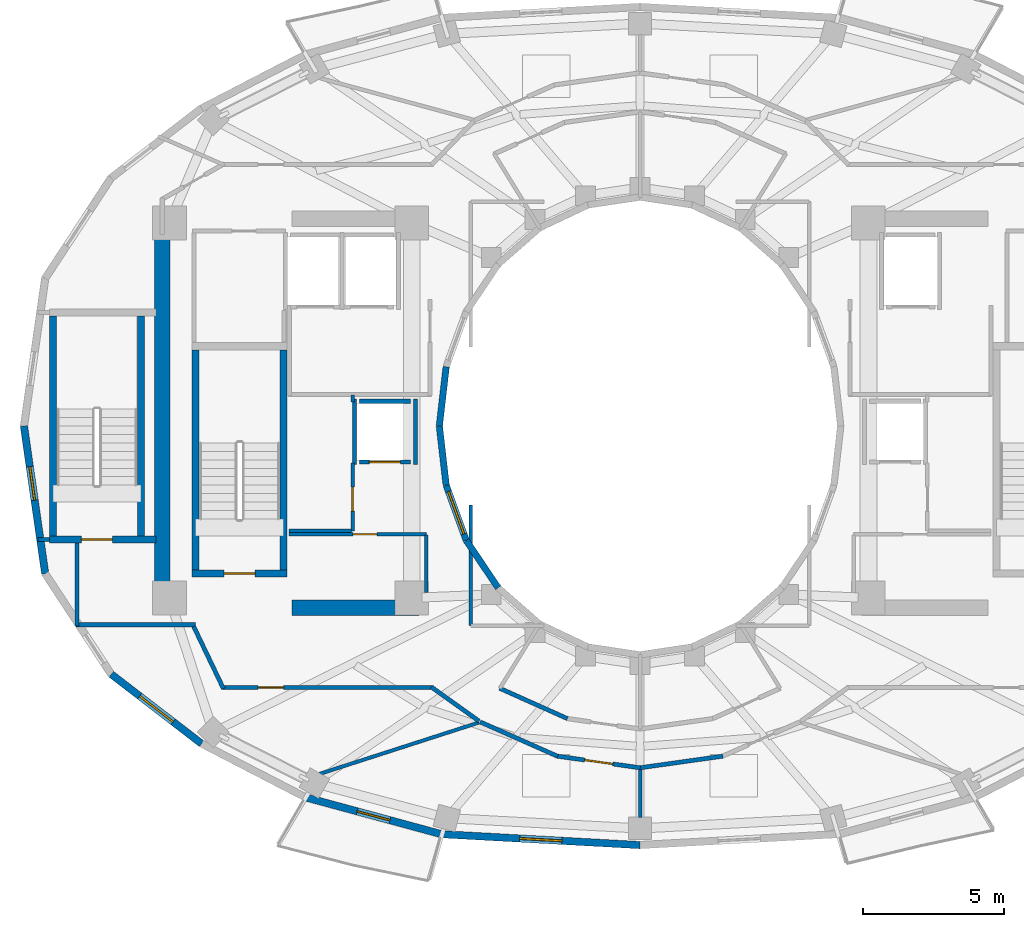
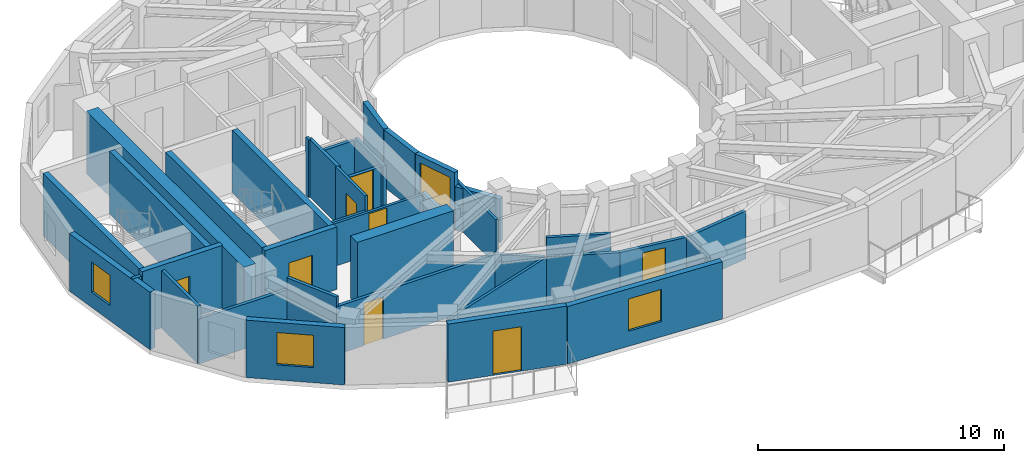
# One storey, part 3 of 10: 38 walls, 8 doors, 4 windows, 12 openings.
"""IFC4 building model written with IfcOpenShell, lengths in metres."""

from ifc_helpers import new_model, si_unit, direction, frame, frame_2d, origin, place, context, subcontext, project, spatial, rectangle, extrude, material, layer, layer_set, type_object, element, fill, save


model = new_model("IFC4")

# Units and contexts
model_context = context("Model", 3, precision=1e-05, world=origin(), true_north=direction((0.0, 1.0)))
body_context = subcontext(model_context, "Body", "Model", "MODEL_VIEW")
ifc_project = project(units=[si_unit("LENGTHUNIT", "METRE"), si_unit("AREAUNIT", "SQUARE_METRE"), si_unit("VOLUMEUNIT", "CUBIC_METRE"), si_unit("PLANEANGLEUNIT", "RADIAN"), si_unit("MASSUNIT", "GRAM", prefix="KILO")], contexts=[model_context])

# Site, building, storey
site_placement = place(None, origin())
site = spatial("IfcSite", under=ifc_project, at=site_placement, CompositionType="ELEMENT")
building_placement = place(site_placement, origin())
building = spatial("IfcBuilding", under=site, at=building_placement, Name="Solvane Sanctuary Tower", CompositionType="ELEMENT")
storey_placement = place(building_placement, frame((0.0, 0.0, 204.699951171875)))
storey = spatial("IfcBuildingStorey", under=building, at=storey_placement, Name="L62", CompositionType="ELEMENT", Elevation=204.699951171875)

# Walls
ifc_material_1 = material(Name="Concrete C50/60", Category="concrete")
ifc_layer_1 = layer(ifc_material_1, 0.550048828125, Name="Concrete C50/60")
ifc_layer_set_1 = layer_set([ifc_layer_1], Name="Concrete C50/60")
wall_type_1 = type_object("IfcWallType", Name="Wall W-CORE-550", PredefinedType="SHEAR", material=ifc_layer_set_1)
wall_1_placement = place(storey_placement, frame((15.050048828125, 17.050048828125, 0.0), z_axis=(0.0, 0.0, 1.0), x_axis=(0.0, 1.0, 0.0)))
element("IfcWall", 1, at=wall_1_placement, inside=storey, type_object=wall_type_1, Name="L62 Core Shear Wall WC-W", PredefinedType="SHEAR", context=body_context, shape_type="SweptSolid", body=[
    extrude(rectangle(XDim=12.800048828125, YDim=0.550048828125, at=frame_2d((6.39990234375, 0.0))), origin(), (0.0, 0.0, 1.0), 3.10009765625),
])
wall_2_placement = place(storey_placement, frame((19.64990234375, 16.550048828125, 0.0), z_axis=(0.0, 0.0, 1.0), x_axis=(1.0, 0.0, 0.0)))
element("IfcWall", 2, at=wall_2_placement, inside=storey, type_object=wall_type_1, Name="L62 Core Shear Wall WC-S", PredefinedType="SHEAR", context=body_context, shape_type="SweptSolid", body=[
    extrude(rectangle(XDim=4.5, YDim=0.550048828125, at=frame_2d((2.25, 0.0))), origin(), (0.0, 0.0, 1.0), 3.10009765625),
])
ifc_material_2 = material(Name="Acoustic Gypsum Partition Board")
ifc_layer_2 = layer(ifc_material_2, 0.14990234375, Name="Acoustic Gypsum Partition Board")
ifc_layer_set_2 = layer_set([ifc_layer_2], Name="Acoustic Gypsum Partition Board")
wall_type_2 = type_object("IfcWallType", Name="Wall W-CORR-150", PredefinedType="PARTITIONING", material=ifc_layer_set_2)
wall_3_placement = place(storey_placement, frame((27.01904296875, 13.694091796875, 0.0), z_axis=(0.0, 0.0, 1.0), x_axis=(0.912628408652, -0.408790151203, 0.0)))
element("IfcWall", 3, at=wall_3_placement, inside=storey, type_object=wall_type_2, Name="L62 South Light-Well Corridor Wall 1", PredefinedType="PARTITIONING", context=body_context, shape_type="SweptSolid", body=[
    extrude(rectangle(XDim=2.637939453125, YDim=0.14990234375, at=frame_2d((1.31884765625, 0.0))), origin(), (0.0, 0.0, 1.0), 2.3759765625),
])
wall_4_placement = place(storey_placement, frame((10.639892578125, 18.969970703125, 0.0), z_axis=(0.0, 0.0, 1.0), x_axis=(1.0, 0.0, 0.0)))
element("IfcWall", 4, at=wall_4_placement, inside=storey, type_object=wall_type_2, Name="L62 SW Corner Closer 1", PredefinedType="PARTITIONING", context=body_context, shape_type="SweptSolid", body=[
    extrude(rectangle(XDim=0.400146484375, YDim=0.14990234375, at=frame_2d((0.2001953125, 0.0))), origin(), (0.0, 0.0, 1.0), 2.85498046875),
])
wall_5_placement = place(storey_placement, frame((12.02001953125, 15.909912109375, 0.0), z_axis=(0.0, 0.0, 1.0), x_axis=(0.0, 1.0, 0.0)))
element("IfcWall", 5, at=wall_5_placement, inside=storey, type_object=wall_type_2, Name="L62 SW Corner Closer 2", PredefinedType="PARTITIONING", context=body_context, shape_type="SweptSolid", body=[
    extrude(rectangle(XDim=2.93017578125, YDim=0.14990234375, at=frame_2d((1.465087890625, 0.0))), origin(), (0.0, 0.0, 1.0), 2.85498046875),
])
wall_6_placement = place(storey_placement, frame((11.97998046875, 15.949951171875, 0.0), z_axis=(0.0, 0.0, 1.0), x_axis=(1.0, 0.0, 0.0)))
element("IfcWall", 6, at=wall_6_placement, inside=storey, type_object=wall_type_2, Name="L62 SW Corner Closer 3", PredefinedType="PARTITIONING", context=body_context, shape_type="SweptSolid", body=[
    extrude(rectangle(XDim=4.239990234375, YDim=0.14990234375, at=frame_2d((2.1201171875, 0.0))), origin(), (0.0, 0.0, 1.0), 2.219970703125),
])
wall_7_placement = place(storey_placement, frame((26.290283203125, 12.527099609375, 0.0), z_axis=(0.0, 0.0, 1.0), x_axis=(-0.813780999276, 0.581171648669, 0.0)))
element("IfcWall", 7, at=wall_7_placement, inside=storey, type_object=wall_type_2, Name="L62 SW Corner Throat Wall", PredefinedType="PARTITIONING", context=body_context, shape_type="SweptSolid", body=[
    extrude(rectangle(XDim=2.082275390625, YDim=0.14990234375, at=frame_2d((1.041015625, 0.0))), origin(), (0.0, 0.0, 1.0), 2.3759765625),
])

# Wall, opening, door
wall_8_placement = place(storey_placement, frame((17.14990234375, 13.719970703125, 0.0), z_axis=(0.0, 0.0, 1.0), x_axis=(1.0, 0.0, 0.0)))
wall_8 = element("IfcWall", 8, at=wall_8_placement, inside=storey, type_object=wall_type_2, Name="L62 SW Corner Corridor Wall", PredefinedType="PARTITIONING", context=body_context, shape_type="SweptSolid", body=[
    extrude(rectangle(XDim=7.52001953125, YDim=0.14990234375, at=frame_2d((3.760009765625, 0.0))), origin(), (0.0, 0.0, 1.0), 2.3759765625),
])
opening_1_placement = place(wall_8_placement, frame((1.300048828125, 0.0, 0.0)))
opening_1 = element("IfcOpeningElement", 9, at=opening_1_placement, cuts=wall_8, Name="Opening D-L62-25", PredefinedType="OPENING", context=body_context, shape_type="SweptSolid", body=[
    extrude(rectangle(XDim=0.89990234375, YDim=2.10009765625, at=frame_2d((0.449951171875, 1.050048828125))), frame((0.0, 0.0849609375, 0.0), z_axis=(0.0, -1.0, 0.0), x_axis=(1.0, 0.0, 0.0)), (0.0, 0.0, 1.0), 0.169921875),
])
ifc_material_3 = material(Name="Engineered Tropical Hardwood", Category="wood")
door_type_1 = type_object("IfcDoorType", Name="Door D-WET-900", OperationType="NOTDEFINED", PredefinedType="DOOR", material=ifc_material_3)
door_1_placement = place(opening_1_placement, origin())
door_1 = element("IfcDoor", 10, at=door_1_placement, inside=storey, type_object=door_type_1, Name="L62 SW Corner Salon Door", OperationType="SINGLE_SWING_RIGHT", OverallHeight=2.10009765625, OverallWidth=0.89990234375, PredefinedType="DOOR", context=body_context, shape_type="SweptSolid", body=[
    extrude(rectangle(XDim=0.89990234375, YDim=2.10009765625, at=frame_2d((0.449951171875, 1.050048828125))), frame((0.0, 0.02490234375, 0.0), z_axis=(0.0, -1.0, 0.0), x_axis=(1.0, 0.0, 0.0)), (0.0, 0.0, 1.0), 0.050048828125),
])
fill(opening_1, door_1)

# Walls
wall_9_placement = place(storey_placement, frame((17.2216796875, 13.6748046875, 0.0), z_axis=(0.0, 0.0, 1.0), x_axis=(-0.431973389813, 0.901886351207, 0.0)))
element("IfcWall", 11, at=wall_9_placement, inside=storey, type_object=wall_type_2, Name="L62 SW Corner Wing Wall", PredefinedType="PARTITIONING", context=body_context, shape_type="SweptSolid", body=[
    extrude(rectangle(XDim=2.45166015625, YDim=0.14990234375, at=frame_2d((1.225830078125, 0.0))), origin(), (0.0, 0.0, 1.0), 2.85498046875),
])
wall_10_placement = place(storey_placement, frame((26.328125, 12.499267578125, 0.0), z_axis=(0.0, 0.0, 1.0), x_axis=(0.914139569865, -0.405399613724, 0.0)))
element("IfcWall", 12, at=wall_10_placement, inside=storey, type_object=wall_type_2, Name="L62 Unit Corridor Wall S1", PredefinedType="PARTITIONING", context=body_context, shape_type="SweptSolid", body=[
    extrude(rectangle(XDim=3.005126953125, YDim=0.14990234375, at=frame_2d((1.50244140625, 0.0))), origin(), (0.0, 0.0, 1.0), 2.3759765625),
])

# Wall, opening, door
wall_11_placement = place(storey_placement, frame((29.059814453125, 11.285400390625, 0.0), z_axis=(0.0, 0.0, 1.0), x_axis=(0.99022315503, -0.139492305317, 0.0)))
wall_11 = element("IfcWall", 13, at=wall_11_placement, inside=storey, type_object=wall_type_2, Name="L62 Unit Corridor Wall S1", PredefinedType="PARTITIONING", context=body_context, shape_type="SweptSolid", body=[
    extrude(rectangle(XDim=2.97705078125, YDim=0.14990234375, at=frame_2d((1.488525390625, 0.0))), origin(), (0.0, 0.0, 1.0), 2.3759765625),
])
opening_2_placement = place(wall_11_placement, frame((0.988525390625, 0.0, 0.0)))
opening_2 = element("IfcOpeningElement", 14, at=opening_2_placement, cuts=wall_11, Name="Opening D-L62-29", PredefinedType="OPENING", context=body_context, shape_type="SweptSolid", body=[
    extrude(rectangle(XDim=1.0, YDim=2.10009765625, at=frame_2d((0.5, 1.050048828125))), frame((0.0, 0.0849609375, 0.0), z_axis=(0.0, -1.0, 0.0), x_axis=(1.0, 0.0, 0.0)), (0.0, 0.0, 1.0), 0.169921875),
])
door_type_2 = type_object("IfcDoorType", Name="Door D-UNIT", OperationType="NOTDEFINED", PredefinedType="DOOR", material=ifc_material_3)
door_2_placement = place(opening_2_placement, origin())
door_2 = element("IfcDoor", 15, at=door_2_placement, inside=storey, type_object=door_type_2, Name="L62 Unit Entrance Door S1", OperationType="SINGLE_SWING_RIGHT", OverallHeight=2.10009765625, OverallWidth=1.0, PredefinedType="DOOR", context=body_context, shape_type="SweptSolid", body=[
    extrude(rectangle(XDim=1.0, YDim=2.10009765625, at=frame_2d((0.5, 1.050048828125))), frame((0.0, 0.02490234375, 0.0), z_axis=(0.0, -1.0, 0.0), x_axis=(1.0, 0.0, 0.0)), (0.0, 0.0, 1.0), 0.050048828125),
])
fill(opening_2, door_2)

# Wall
wall_12_placement = place(storey_placement, frame((31.9921875, 10.8701171875, 0.0), z_axis=(0.0, 0.0, 1.0), x_axis=(0.99022315503, 0.139492305317, 0.0)))
element("IfcWall", 16, at=wall_12_placement, inside=storey, type_object=wall_type_2, Name="L62 Unit Corridor Wall S2", PredefinedType="PARTITIONING", context=body_context, shape_type="SweptSolid", body=[
    extrude(rectangle(XDim=2.97705078125, YDim=0.14990234375, at=frame_2d((1.488525390625, 0.0))), origin(), (0.0, 0.0, 1.0), 2.3759765625),
])

# Wall, opening, window
ifc_material_4 = material(Name="Precast concrete C40/50", Category="concrete")
ifc_layer_3 = layer(ifc_material_4, 0.260009765625, Name="Precast concrete C40/50")
ifc_layer_set_3 = layer_set([ifc_layer_3], Name="Precast concrete C40/50")
wall_type_3 = type_object("IfcWallType", Name="Wall W-EXT-250", PredefinedType="STANDARD", material=ifc_layer_set_3)
wall_13_placement = place(storey_placement, frame((10.139892578125, 23.0, 0.0), z_axis=(0.0, 0.0, 1.0), x_axis=(0.142712754019, -0.989764148593, 0.0)))
wall_13 = element("IfcWall", 17, at=wall_13_placement, inside=storey, type_object=wall_type_3, Name="L62 Ceramic-Printed Facade Wall 12", PredefinedType="STANDARD", context=body_context, shape_type="SweptSolid", body=[
    extrude(rectangle(XDim=5.29296875, YDim=0.260009765625, at=frame_2d((2.646484375, 0.0))), origin(), (0.0, 0.0, 1.0), 2.85009765625),
])
opening_3_placement = place(wall_13_placement, frame((1.4580078125, 0.0, 0.75)))
opening_3 = element("IfcOpeningElement", 18, at=opening_3_placement, cuts=wall_13, Name="Opening WN-OPER-1200", PredefinedType="OPENING", context=body_context, shape_type="SweptSolid", body=[
    extrude(rectangle(XDim=1.199951171875, YDim=1.5, at=frame_2d((0.60009765625, 0.75))), frame((0.0, 0.139892578125, 0.0), z_axis=(0.0, -1.0, 0.0), x_axis=(1.0, 0.0, 0.0)), (0.0, 0.0, 1.0), 0.280029296875),
])
ifc_material_5 = material(Name="Dark Ceramic-Fritted Low-E Glass", Category="glass")
window_type_1 = type_object("IfcWindowType", Name="Window WN-OPER-1200", PartitioningType="SINGLE_PANEL", PredefinedType="WINDOW", material=ifc_material_5)
window_1_placement = place(opening_3_placement, origin())
window_1 = element("IfcWindow", 19, at=window_1_placement, inside=storey, type_object=window_type_1, Name="L62 Operable Facade Window 12", OverallHeight=1.5, OverallWidth=1.199951171875, PartitioningType="SINGLE_PANEL", PredefinedType="WINDOW", context=body_context, shape_type="SweptSolid", body=[
    extrude(rectangle(XDim=1.199951171875, YDim=1.5, at=frame_2d((0.60009765625, 0.75))), frame((0.0, 0.030029296875, 0.0), z_axis=(0.0, -1.0, 0.0), x_axis=(1.0, 0.0, 0.0)), (0.0, 0.0, 1.0), 0.06005859375),
])
fill(opening_3, window_1)

wall_14_placement = place(storey_placement, frame((13.239013671875, 14.19091796875, 0.0), z_axis=(0.0, 0.0, 1.0), x_axis=(0.792713817907, -0.609593965603, 0.0)))
wall_14 = element("IfcWall", 20, at=wall_14_placement, inside=storey, type_object=wall_type_3, Name="L62 Ceramic-Printed Facade Wall 14", PredefinedType="STANDARD", context=body_context, shape_type="SweptSolid", body=[
    extrude(rectangle(XDim=4.041015625, YDim=0.260009765625, at=frame_2d((2.0205078125, 0.0))), origin(), (0.0, 0.0, 1.0), 2.85009765625),
])
opening_4_placement = place(wall_14_placement, frame((1.2705078125, 0.0, 0.75)))
opening_4 = element("IfcOpeningElement", 21, at=opening_4_placement, cuts=wall_14, Name="Opening WN-OPER-1500", PredefinedType="OPENING", context=body_context, shape_type="SweptSolid", body=[
    extrude(rectangle(XDim=1.5, YDim=1.60009765625, at=frame_2d((0.75, 0.800048828125))), frame((0.0, 0.139892578125, 0.0), z_axis=(0.0, -1.0, 0.0), x_axis=(1.0, 0.0, 0.0)), (0.0, 0.0, 1.0), 0.280029296875),
])
window_type_2 = type_object("IfcWindowType", Name="Window WN-OPER-1500", PartitioningType="SINGLE_PANEL", PredefinedType="WINDOW", material=ifc_material_5)
window_2_placement = place(opening_4_placement, origin())
window_2 = element("IfcWindow", 22, at=window_2_placement, inside=storey, type_object=window_type_2, Name="L62 Operable Facade Window 14", OverallHeight=1.60009765625, OverallWidth=1.5, PartitioningType="SINGLE_PANEL", PredefinedType="WINDOW", context=body_context, shape_type="SweptSolid", body=[
    extrude(rectangle(XDim=1.5, YDim=1.60009765625, at=frame_2d((0.75, 0.800048828125))), frame((0.0, 0.030029296875, 0.0), z_axis=(0.0, -1.0, 0.0), x_axis=(1.0, 0.0, 0.0)), (0.0, 0.0, 1.0), 0.06005859375),
])
fill(opening_4, window_2)

# Wall, opening, door
wall_15_placement = place(storey_placement, frame((20.1298828125, 9.822998046875, 0.0), z_axis=(0.0, 0.0, 1.0), x_axis=(0.965213026382, -0.261464746576, 0.0)))
wall_15 = element("IfcWall", 23, at=wall_15_placement, inside=storey, type_object=wall_type_3, Name="L62 Balcony Facade Wall S1", PredefinedType="STANDARD", context=body_context, shape_type="SweptSolid", body=[
    extrude(rectangle(XDim=5.001220703125, YDim=0.260009765625, at=frame_2d((2.50048828125, 0.0))), origin(), (0.0, 0.0, 1.0), 2.880126953125),
])
opening_5_placement = place(wall_15_placement, frame((1.900390625, 0.0, 0.0)))
opening_5 = element("IfcOpeningElement", 24, at=opening_5_placement, cuts=wall_15, Name="Opening D-L62-03", PredefinedType="OPENING", context=body_context, shape_type="SweptSolid", body=[
    extrude(rectangle(XDim=1.199951171875, YDim=2.199951171875, at=frame_2d((0.60009765625, 1.10009765625))), frame((0.0, 0.139892578125, 0.0), z_axis=(0.0, -1.0, 0.0), x_axis=(1.0, 0.0, 0.0)), (0.0, 0.0, 1.0), 0.280029296875),
])
ifc_material_6 = material(Name="Anodised Aluminium 6063-T6", Category="aluminium")
door_type_3 = type_object("IfcDoorType", Name="Door D-BALC-1200", OperationType="NOTDEFINED", PredefinedType="DOOR", material=ifc_material_6)
door_3_placement = place(opening_5_placement, origin())
door_3 = element("IfcDoor", 25, at=door_3_placement, inside=storey, type_object=door_type_3, Name="L62 Glazed Balcony Door S1", OperationType="SINGLE_SWING_RIGHT", OverallHeight=2.199951171875, OverallWidth=1.199951171875, PredefinedType="DOOR", context=body_context, shape_type="SweptSolid", body=[
    extrude(rectangle(XDim=1.199951171875, YDim=2.199951171875, at=frame_2d((0.60009765625, 1.10009765625))), frame((0.0, 0.02490234375, 0.0), z_axis=(0.0, -1.0, 0.0), x_axis=(1.0, 0.0, 0.0)), (0.0, 0.0, 1.0), 0.050048828125),
])
fill(opening_5, door_3)

# Wall, opening, window
wall_16_placement = place(storey_placement, frame((24.95703125, 8.515380859375, 0.0), z_axis=(0.0, 0.0, 1.0), x_axis=(0.998490239527, -0.054929423535, 0.0)))
wall_16 = element("IfcWall", 26, at=wall_16_placement, inside=storey, type_object=wall_type_3, Name="L62 Ceramic-Printed Facade Wall 17", PredefinedType="STANDARD", context=body_context, shape_type="SweptSolid", body=[
    extrude(rectangle(XDim=7.0537109375, YDim=0.260009765625, at=frame_2d((3.52685546875, 0.0))), origin(), (0.0, 0.0, 1.0), 2.85009765625),
])
opening_6_placement = place(wall_16_placement, frame((2.77685546875, 0.0, 0.75)))
opening_6 = element("IfcOpeningElement", 27, at=opening_6_placement, cuts=wall_16, Name="Opening WN-OPER-1500", PredefinedType="OPENING", context=body_context, shape_type="SweptSolid", body=[
    extrude(rectangle(XDim=1.5, YDim=1.60009765625, at=frame_2d((0.75, 0.800048828125))), frame((0.0, 0.139892578125, 0.0), z_axis=(0.0, -1.0, 0.0), x_axis=(1.0, 0.0, 0.0)), (0.0, 0.0, 1.0), 0.280029296875),
])
window_3_placement = place(opening_6_placement, origin())
window_3 = element("IfcWindow", 28, at=window_3_placement, inside=storey, type_object=window_type_2, Name="L62 Operable Facade Window 17", OverallHeight=1.60009765625, OverallWidth=1.5, PartitioningType="SINGLE_PANEL", PredefinedType="WINDOW", context=body_context, shape_type="SweptSolid", body=[
    extrude(rectangle(XDim=1.5, YDim=1.60009765625, at=frame_2d((0.75, 0.800048828125))), frame((0.0, 0.030029296875, 0.0), z_axis=(0.0, -1.0, 0.0), x_axis=(1.0, 0.0, 0.0)), (0.0, 0.0, 1.0), 0.06005859375),
])
fill(opening_6, window_3)

# Walls
ifc_layer_4 = layer(ifc_material_4, 0.22998046875, Name="Precast concrete C40/50")
ifc_layer_set_4 = layer_set([ifc_layer_4], Name="Precast concrete C40/50")
wall_type_4 = type_object("IfcWallType", Name="Wall W-EXT-SP220", PredefinedType="STANDARD", material=ifc_layer_set_4)
for number, where, z_axis, x_axis, name in (
    (29, (25.12255859375, 25.1015625, 0.0), (0.0, 0.0, 1.0), (-0.114711713601, -0.993398823617, 0.0), "L62 Central Light-Well Wall 11"),
    (30, (24.8798828125, 23.0, 0.0), (0.0, 0.0, 1.0), (0.114711713601, -0.993398823617, 0.0), "L62 Central Light-Well Wall 12"),
):
    element("IfcWall", number, at=place(storey_placement, frame(where, z_axis=z_axis, x_axis=x_axis)), inside=storey, type_object=wall_type_4, Name=name, PredefinedType="STANDARD", context=body_context, shape_type="SweptSolid", body=[
        extrude(rectangle(XDim=2.115478515625, YDim=0.22998046875, at=frame_2d((1.0576171875, 0.0))), origin(), (0.0, 0.0, 1.0), 2.840087890625),
    ])

# Wall, opening, window
wall_17_placement = place(storey_placement, frame((25.12255859375, 20.8984375, 0.0), z_axis=(0.0, 0.0, 1.0), x_axis=(0.341423187295, -0.93990968033, 0.0)))
wall_17 = element("IfcWall", 31, at=wall_17_placement, inside=storey, type_object=wall_type_4, Name="L62 Central Light-Well Wall 13", PredefinedType="STANDARD", context=body_context, shape_type="SweptSolid", body=[
    extrude(rectangle(XDim=2.083740234375, YDim=0.22998046875, at=frame_2d((1.0419921875, 0.0))), origin(), (0.0, 0.0, 1.0), 2.840087890625),
])
opening_7_placement = place(wall_17_placement, frame((0.24169921875, 0.0, 0.85009765625)))
opening_7 = element("IfcOpeningElement", 32, at=opening_7_placement, cuts=wall_17, Name="Opening WN-WELL-1600", PredefinedType="OPENING", context=body_context, shape_type="SweptSolid", body=[
    extrude(rectangle(XDim=1.60009765625, YDim=1.64990234375, at=frame_2d((0.800048828125, 0.824951171875))), frame((0.0, 0.125, 0.0), z_axis=(0.0, -1.0, 0.0), x_axis=(1.0, 0.0, 0.0)), (0.0, 0.0, 1.0), 0.25),
])
ifc_material_7 = material(Name="Clear Laminated Light-Well Glass", Category="glass")
window_type_3 = type_object("IfcWindowType", Name="Window WN-WELL-1600", PartitioningType="SINGLE_PANEL", PredefinedType="WINDOW", material=ifc_material_7)
window_4_placement = place(opening_7_placement, origin())
window_4 = element("IfcWindow", 33, at=window_4_placement, inside=storey, type_object=window_type_3, Name="L62 Light-Well Daylight Window 13", OverallHeight=1.64990234375, OverallWidth=1.60009765625, PartitioningType="SINGLE_PANEL", PredefinedType="WINDOW", context=body_context, shape_type="SweptSolid", body=[
    extrude(rectangle(XDim=1.60009765625, YDim=1.64990234375, at=frame_2d((0.800048828125, 0.824951171875))), frame((0.0, 0.030029296875, 0.0), z_axis=(0.0, -1.0, 0.0), x_axis=(1.0, 0.0, 0.0)), (0.0, 0.0, 1.0), 0.06005859375),
])
fill(opening_7, window_4)

# Wall
wall_18_placement = place(storey_placement, frame((25.833984375, 18.93994140625, 0.0), z_axis=(0.0, 0.0, 1.0), x_axis=(0.558197800898, -0.829707909492, 0.0)))
element("IfcWall", 34, at=wall_18_placement, inside=storey, type_object=wall_type_4, Name="L62 Central Light-Well Wall 14", PredefinedType="STANDARD", context=body_context, shape_type="SweptSolid", body=[
    extrude(rectangle(XDim=2.02685546875, YDim=0.22998046875, at=frame_2d((1.013427734375, 0.0))), origin(), (0.0, 0.0, 1.0), 2.16015625),
])

# Wall, opening, door
ifc_layer_5 = layer(ifc_material_2, 0.125, Name="Acoustic Gypsum Partition Board")
ifc_layer_set_5 = layer_set([ifc_layer_5], Name="Acoustic Gypsum Partition Board")
wall_type_5 = type_object("IfcWallType", Name="Wall W-PART-125", PredefinedType="PARTITIONING", material=ifc_layer_set_5)
wall_19_placement = place(storey_placement, frame((19.550048828125, 19.159912109375, 0.0), z_axis=(0.0, 0.0, 1.0), x_axis=(1.0, 0.0, 0.0)))
wall_19 = element("IfcWall", 35, at=wall_19_placement, inside=storey, type_object=wall_type_5, Name="L62 Reclaimed Room Partition PLW", PredefinedType="PARTITIONING", context=body_context, shape_type="SweptSolid", body=[
    extrude(rectangle(XDim=4.869873046875, YDim=0.125, at=frame_2d((2.43505859375, 0.0))), origin(), (0.0, 0.0, 1.0), 2.1201171875),
])
opening_8_placement = place(wall_19_placement, frame((2.271728515625, 0.0, 0.0)))
opening_8 = element("IfcOpeningElement", 36, at=opening_8_placement, cuts=wall_19, Name="Opening D-L62-10", PredefinedType="OPENING", context=body_context, shape_type="SweptSolid", body=[
    extrude(rectangle(XDim=0.85009765625, YDim=2.050048828125, at=frame_2d((0.425048828125, 1.02490234375))), frame((0.0, 0.072509765625, 0.0), z_axis=(0.0, -1.0, 0.0), x_axis=(1.0, 0.0, 0.0)), (0.0, 0.0, 1.0), 0.14501953125),
])
ifc_material_8 = material(Name="Architectural Stainless Steel 316", Category="steel")
door_type_4 = type_object("IfcDoorType", Name="Door D-RISER", OperationType="NOTDEFINED", PredefinedType="DOOR", material=ifc_material_8)
door_4_placement = place(opening_8_placement, origin())
door_4 = element("IfcDoor", 37, at=door_4_placement, inside=storey, type_object=door_type_4, Name="L62 Reclaimed Room Door PLW-1", OperationType="SINGLE_SWING_LEFT", OverallHeight=2.050048828125, OverallWidth=0.85009765625, PredefinedType="DOOR", context=body_context, shape_type="SweptSolid", body=[
    extrude(rectangle(XDim=0.85009765625, YDim=2.050048828125, at=frame_2d((0.425048828125, 1.02490234375))), frame((0.0, 0.02490234375, 0.0), z_axis=(0.0, -1.0, 0.0), x_axis=(1.0, 0.0, 0.0)), (0.0, 0.0, 1.0), 0.050048828125),
])
fill(opening_8, door_4)

# Wall
wall_20_placement = place(storey_placement, frame((24.419921875, 17.10009765625, 0.0), z_axis=(0.0, 0.0, 1.0), x_axis=(0.0, 1.0, 0.0)))
element("IfcWall", 38, at=wall_20_placement, inside=storey, type_object=wall_type_5, Name="L62 Reclaimed Room Closer Wall PLW-1", PredefinedType="PARTITIONING", context=body_context, shape_type="SweptSolid", body=[
    extrude(rectangle(XDim=2.039794921875, YDim=0.125, at=frame_2d((1.02001953125, 0.0))), origin(), (0.0, 0.0, 1.0), 2.23193359375),
])

# Wall, opening, door
wall_21_placement = place(storey_placement, frame((21.800048828125, 19.280029296875, 0.0), z_axis=(0.0, 0.0, 1.0), x_axis=(0.0, 1.0, 0.0)))
wall_21 = element("IfcWall", 39, at=wall_21_placement, inside=storey, type_object=wall_type_5, Name="L62 Reclaimed Room Partition PMW", PredefinedType="PARTITIONING", context=body_context, shape_type="SweptSolid", body=[
    extrude(rectangle(XDim=2.39990234375, YDim=0.125, at=frame_2d((1.199951171875, 0.0))), origin(), (0.0, 0.0, 1.0), 2.85498046875),
])
opening_9_placement = place(wall_21_placement, frame((0.699951171875, 0.0, 0.0)))
opening_9 = element("IfcOpeningElement", 40, at=opening_9_placement, cuts=wall_21, Name="Opening D-L62-12", PredefinedType="OPENING", context=body_context, shape_type="SweptSolid", body=[
    extrude(rectangle(XDim=0.85009765625, YDim=2.050048828125, at=frame_2d((0.425048828125, 1.02490234375))), frame((0.0, 0.072509765625, 0.0), z_axis=(0.0, -1.0, 0.0), x_axis=(1.0, 0.0, 0.0)), (0.0, 0.0, 1.0), 0.14501953125),
])
door_5_placement = place(opening_9_placement, origin())
door_5 = element("IfcDoor", 41, at=door_5_placement, inside=storey, type_object=door_type_4, Name="L62 Reclaimed Room Door PMW-1", OperationType="SINGLE_SWING_LEFT", OverallHeight=2.050048828125, OverallWidth=0.85009765625, PredefinedType="DOOR", context=body_context, shape_type="SweptSolid", body=[
    extrude(rectangle(XDim=0.85009765625, YDim=2.050048828125, at=frame_2d((0.425048828125, 1.02490234375))), frame((0.0, 0.02490234375, 0.0), z_axis=(0.0, -1.0, 0.0), x_axis=(1.0, 0.0, 0.0)), (0.0, 0.0, 1.0), 0.050048828125),
])
fill(opening_9, door_5)

# Walls
wall_22_placement = place(storey_placement, frame((21.800048828125, 23.85009765625, 0.0), z_axis=(0.0, 0.0, 1.0), x_axis=(0.0, 1.0, 0.0)))
element("IfcWall", 42, at=wall_22_placement, inside=storey, type_object=wall_type_5, Name="L62 Reclaimed Room Dividing Wall PMW", PredefinedType="PARTITIONING", context=body_context, shape_type="SweptSolid", body=[
    extrude(rectangle(XDim=0.25, YDim=0.125, at=frame_2d((0.125, 0.0))), origin(), (0.0, 0.0, 1.0), 2.85498046875),
])
wall_23_placement = place(storey_placement, frame((19.550048828125, 19.280029296875, 0.0), z_axis=(0.0, 0.0, 1.0), x_axis=(1.0, 0.0, 0.0)))
element("IfcWall", 43, at=wall_23_placement, inside=storey, type_object=wall_type_5, Name="L62 Reclaimed Room Closer Wall PMW-1", PredefinedType="PARTITIONING", context=body_context, shape_type="SweptSolid", body=[
    extrude(rectangle(XDim=2.2099609375, YDim=0.125, at=frame_2d((1.10498046875, 0.0))), origin(), (0.0, 0.0, 1.0), 2.1201171875),
])
wall_24_placement = place(storey_placement, frame((26.0, 15.919921875, 0.0), z_axis=(0.0, 0.0, 1.0), x_axis=(0.0, 1.0, 0.0)))
element("IfcWall", 44, at=wall_24_placement, inside=storey, type_object=wall_type_5, Name="L62 Bridge Alcove Wall 5", PredefinedType="PARTITIONING", context=body_context, shape_type="SweptSolid", body=[
    extrude(rectangle(XDim=4.280029296875, YDim=0.125, at=frame_2d((2.14013671875, 0.0))), origin(), (0.0, 0.0, 1.0), 2.23193359375),
])
wall_25_placement = place(storey_placement, frame((26.28271484375, 12.478271484375, 0.0), z_axis=(0.0, 0.0, 1.0), x_axis=(-0.951711719757, -0.306993163568, 0.0)))
element("IfcWall", 45, at=wall_25_placement, inside=storey, type_object=wall_type_5, Name="L62 Radial Compartment Wall 240", PredefinedType="PARTITIONING", context=body_context, shape_type="SweptSolid", body=[
    extrude(rectangle(XDim=5.934326171875, YDim=0.125, at=frame_2d((2.96728515625, 0.0))), origin(), (0.0, 0.0, 1.0), 2.3759765625),
])
wall_26_placement = place(storey_placement, frame((32.0, 10.81494140625, 0.0), z_axis=(0.0, 0.0, 1.0), x_axis=(0.0, -1.0, 0.0)))
element("IfcWall", 46, at=wall_26_placement, inside=storey, type_object=wall_type_5, Name="L62 Radial Compartment Wall 270", PredefinedType="PARTITIONING", context=body_context, shape_type="SweptSolid", body=[
    extrude(rectangle(XDim=1.71484375, YDim=0.125, at=frame_2d((0.857421875, 0.0))), origin(), (0.0, 0.0, 1.0), 2.3759765625),
])

# Wall, opening, door
ifc_layer_6 = layer(ifc_material_1, 0.14990234375, Name="Concrete C50/60")
ifc_layer_set_6 = layer_set([ifc_layer_6], Name="Concrete C50/60")
wall_type_6 = type_object("IfcWallType", Name="Wall W-SHAFT-150", PredefinedType="SOLIDWALL", material=ifc_layer_set_6)
wall_27_placement = place(storey_placement, frame((22.0400390625, 21.719970703125, 0.0), z_axis=(0.0, 0.0, 1.0), x_axis=(1.0, 0.0, 0.0)))
wall_27 = element("IfcWall", 47, at=wall_27_placement, inside=storey, type_object=wall_type_6, Name="L62 PH-1 Lift Shaft Wall F", PredefinedType="SOLIDWALL", context=body_context, shape_type="SweptSolid", body=[
    extrude(rectangle(XDim=1.820068359375, YDim=0.14990234375, at=frame_2d((0.91015625, 0.0))), origin(), (0.0, 0.0, 1.0), 2.1201171875),
])
opening_10_placement = place(wall_27_placement, frame((0.360107421875, 0.0, 0.0)))
opening_10 = element("IfcOpeningElement", 48, at=opening_10_placement, cuts=wall_27, Name="Opening LD-L62-01", PredefinedType="OPENING", context=body_context, shape_type="SweptSolid", body=[
    extrude(rectangle(XDim=1.10009765625, YDim=2.10009765625, at=frame_2d((0.550048828125, 1.050048828125))), frame((0.0, 0.0849609375, 0.0), z_axis=(0.0, -1.0, 0.0), x_axis=(1.0, 0.0, 0.0)), (0.0, 0.0, 1.0), 0.169921875),
])
door_type_5 = type_object("IfcDoorType", Name="Door LD-PASS-1100", OperationType="NOTDEFINED", PredefinedType="DOOR", material=ifc_material_8)
door_6_placement = place(opening_10_placement, origin())
door_6 = element("IfcDoor", 49, at=door_6_placement, inside=storey, type_object=door_type_5, Name="L62 PH-1 Lift Landing Door", OperationType="DOUBLE_DOOR_SLIDING", OverallHeight=2.10009765625, OverallWidth=1.10009765625, PredefinedType="DOOR", context=body_context, shape_type="SweptSolid", body=[
    extrude(rectangle(XDim=1.10009765625, YDim=2.10009765625, at=frame_2d((0.550048828125, 1.050048828125))), frame((0.0, 0.02490234375, 0.0), z_axis=(0.0, -1.0, 0.0), x_axis=(1.0, 0.0, 0.0)), (0.0, 0.0, 1.0), 0.050048828125),
])
fill(opening_10, door_6)

# Walls
wall_28_placement = place(storey_placement, frame((22.0400390625, 23.8798828125, 0.0), z_axis=(0.0, 0.0, 1.0), x_axis=(1.0, 0.0, 0.0)))
element("IfcWall", 50, at=wall_28_placement, inside=storey, type_object=wall_type_6, Name="L62 PH-1 Lift Shaft Wall B", PredefinedType="SOLIDWALL", context=body_context, shape_type="SweptSolid", body=[
    extrude(rectangle(XDim=1.820068359375, YDim=0.14990234375, at=frame_2d((0.91015625, 0.0))), origin(), (0.0, 0.0, 1.0), 2.1201171875),
])
wall_29_placement = place(storey_placement, frame((21.8701171875, 21.639892578125, 0.0), z_axis=(0.0, 0.0, 1.0), x_axis=(0.0, 1.0, 0.0)))
element("IfcWall", 51, at=wall_29_placement, inside=storey, type_object=wall_type_6, Name="L62 PH-1 Lift Shaft Wall S1", PredefinedType="SOLIDWALL", context=body_context, shape_type="SweptSolid", body=[
    extrude(rectangle(XDim=2.320068359375, YDim=0.14990234375, at=frame_2d((1.16015625, 0.0))), origin(), (0.0, 0.0, 1.0), 2.85498046875),
])
wall_30_placement = place(storey_placement, frame((24.030029296875, 21.639892578125, 0.0), z_axis=(0.0, 0.0, 1.0), x_axis=(0.0, 1.0, 0.0)))
element("IfcWall", 52, at=wall_30_placement, inside=storey, type_object=wall_type_6, Name="L62 PH-1 Lift Shaft Wall S2", PredefinedType="SOLIDWALL", context=body_context, shape_type="SweptSolid", body=[
    extrude(rectangle(XDim=2.320068359375, YDim=0.14990234375, at=frame_2d((1.16015625, 0.0))), origin(), (0.0, 0.0, 1.0), 2.1201171875),
])

# Wall, opening, door
ifc_layer_7 = layer(ifc_material_1, 0.25, Name="Concrete C50/60")
ifc_layer_set_7 = layer_set([ifc_layer_7], Name="Concrete C50/60")
wall_type_7 = type_object("IfcWallType", Name="Wall W-SHAFT-250", PredefinedType="SOLIDWALL", material=ifc_layer_set_7)
wall_31_placement = place(storey_placement, frame((16.10498046875, 17.77001953125, 0.0), z_axis=(0.0, 0.0, 1.0), x_axis=(1.0, 0.0, 0.0)))
wall_31 = element("IfcWall", 53, at=wall_31_placement, inside=storey, type_object=wall_type_7, Name="L62 ST-1 Load-Bearing Shaft Wall S", PredefinedType="SOLIDWALL", context=body_context, shape_type="SweptSolid", body=[
    extrude(rectangle(XDim=3.3701171875, YDim=0.25, at=frame_2d((1.68505859375, 0.0))), origin(), (0.0, 0.0, 1.0), 3.10009765625),
])
opening_11_placement = place(wall_31_placement, frame((1.135009765625, 0.0, 0.0)))
opening_11 = element("IfcOpeningElement", 54, at=opening_11_placement, cuts=wall_31, Name="Opening D-L62-05", PredefinedType="OPENING", context=body_context, shape_type="SweptSolid", body=[
    extrude(rectangle(XDim=1.10009765625, YDim=2.10009765625, at=frame_2d((0.550048828125, 1.050048828125))), frame((0.0, 0.135009765625, 0.0), z_axis=(0.0, -1.0, 0.0), x_axis=(1.0, 0.0, 0.0)), (0.0, 0.0, 1.0), 0.27001953125),
])
door_type_6 = type_object("IfcDoorType", Name="Door D-STAIR", OperationType="NOTDEFINED", PredefinedType="DOOR", material=ifc_material_8)
door_7_placement = place(opening_11_placement, origin())
door_7 = element("IfcDoor", 55, at=door_7_placement, inside=storey, type_object=door_type_6, Name="L62 ST-1 Exit Stair Fire Door", OperationType="SINGLE_SWING_RIGHT", OverallHeight=2.10009765625, OverallWidth=1.10009765625, PredefinedType="DOOR", context=body_context, shape_type="SweptSolid", body=[
    extrude(rectangle(XDim=1.10009765625, YDim=2.10009765625, at=frame_2d((0.550048828125, 1.050048828125))), frame((0.0, 0.02490234375, 0.0), z_axis=(0.0, -1.0, 0.0), x_axis=(1.0, 0.0, 0.0)), (0.0, 0.0, 1.0), 0.050048828125),
])
fill(opening_11, door_7)

# Walls
for number, where, z_axis, x_axis, name in (
    (56, (16.22998046875, 17.89501953125, 0.0), (0.0, 0.0, 1.0), (0.0, 1.0, 0.0), "L62 ST-1 Load-Bearing Shaft Wall W"),
    (57, (19.35009765625, 17.89501953125, 0.0), (0.0, 0.0, 1.0), (0.0, 1.0, 0.0), "L62 ST-1 Load-Bearing Shaft Wall E"),
):
    element("IfcWall", number, at=place(storey_placement, frame(where, z_axis=z_axis, x_axis=x_axis)), inside=storey, type_object=wall_type_7, Name=name, PredefinedType="SOLIDWALL", context=body_context, shape_type="SweptSolid", body=[
        extrude(rectangle(XDim=7.81005859375, YDim=0.25, at=frame_2d((3.905029296875, 0.0))), origin(), (0.0, 0.0, 1.0), 3.10009765625),
    ])

# Wall, opening, door
wall_32_placement = place(storey_placement, frame((11.044921875, 18.969970703125, 0.0), z_axis=(0.0, 0.0, 1.0), x_axis=(1.0, 0.0, 0.0)))
wall_32 = element("IfcWall", 58, at=wall_32_placement, inside=storey, type_object=wall_type_7, Name="L62 ST-3 Load-Bearing Shaft Wall S", PredefinedType="SOLIDWALL", context=body_context, shape_type="SweptSolid", body=[
    extrude(rectangle(XDim=3.781982421875, YDim=0.25, at=frame_2d((1.89111328125, 0.0))), origin(), (0.0, 0.0, 1.0), 3.10009765625),
])
opening_12_placement = place(wall_32_placement, frame((1.135009765625, 0.0, 0.0)))
opening_12 = element("IfcOpeningElement", 59, at=opening_12_placement, cuts=wall_32, Name="Opening D-L62-07", PredefinedType="OPENING", context=body_context, shape_type="SweptSolid", body=[
    extrude(rectangle(XDim=1.10009765625, YDim=2.10009765625, at=frame_2d((0.550048828125, 1.050048828125))), frame((0.0, 0.135009765625, 0.0), z_axis=(0.0, -1.0, 0.0), x_axis=(1.0, 0.0, 0.0)), (0.0, 0.0, 1.0), 0.27001953125),
])
door_8_placement = place(opening_12_placement, origin())
door_8 = element("IfcDoor", 60, at=door_8_placement, inside=storey, type_object=door_type_6, Name="L62 ST-3 Exit Stair Fire Door", OperationType="SINGLE_SWING_RIGHT", OverallHeight=2.10009765625, OverallWidth=1.10009765625, PredefinedType="DOOR", context=body_context, shape_type="SweptSolid", body=[
    extrude(rectangle(XDim=1.10009765625, YDim=2.10009765625, at=frame_2d((0.550048828125, 1.050048828125))), frame((0.0, 0.02490234375, 0.0), z_axis=(0.0, -1.0, 0.0), x_axis=(1.0, 0.0, 0.0)), (0.0, 0.0, 1.0), 0.050048828125),
])
fill(opening_12, door_8)

# Walls
for number, where, z_axis, x_axis, name in (
    (61, (11.169921875, 19.094970703125, 0.0), (0.0, 0.0, 1.0), (0.0, 1.0, 0.0), "L62 ST-3 Load-Bearing Shaft Wall W"),
    (62, (14.2900390625, 19.094970703125, 0.0), (0.0, 0.0, 1.0), (0.0, 1.0, 0.0), "L62 ST-3 Load-Bearing Shaft Wall E"),
):
    element("IfcWall", number, at=place(storey_placement, frame(where, z_axis=z_axis, x_axis=x_axis)), inside=storey, type_object=wall_type_7, Name=name, PredefinedType="SOLIDWALL", context=body_context, shape_type="SweptSolid", body=[
        extrude(rectangle(XDim=7.81005859375, YDim=0.25, at=frame_2d((3.905029296875, 0.0))), origin(), (0.0, 0.0, 1.0), 3.10009765625),
    ])

save(model, "model.ifc")
